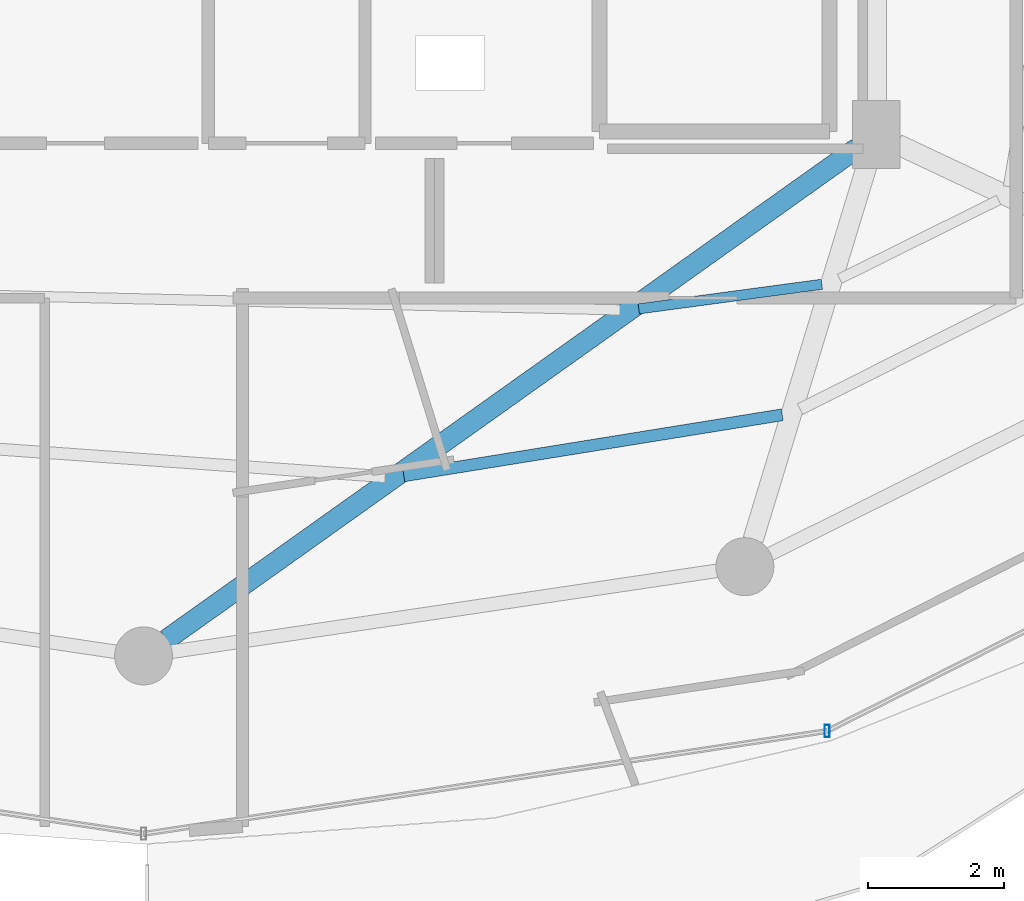
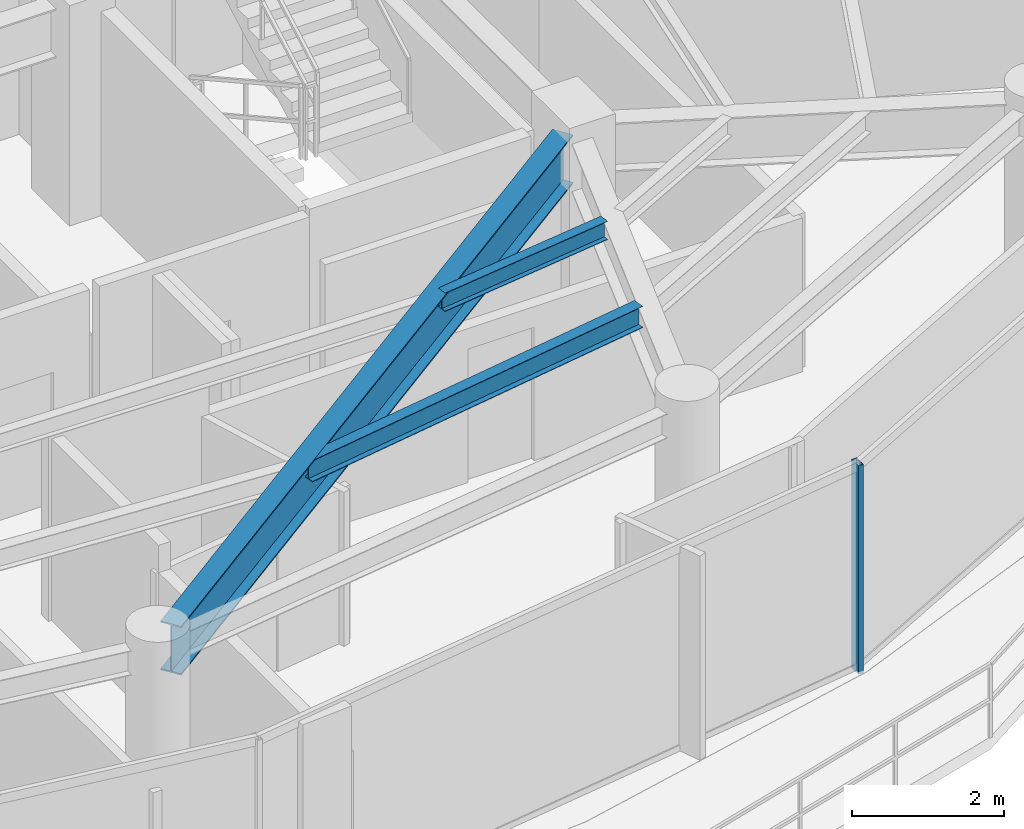
# One storey, part 10 of 30: 3 beams, 1 member, 1 element without a shape of its own.
"""IFC4 building model written with IfcOpenShell, lengths in metres."""

from ifc_helpers import new_model, si_unit, direction, frame, origin, origin_2d, place, context, subcontext, project, spatial, hollow_rectangle, i_section, extrude, material, material_profile, profile_set, type_object, element, aggregate, save


model = new_model("IFC4")

# Units and contexts
model_context = context("Model", 3, precision=1e-05, world=origin(), true_north=direction((0.0, 1.0)))
body_context = subcontext(model_context, "Body", "Model", "MODEL_VIEW")
ifc_project = project(units=[si_unit("LENGTHUNIT", "METRE"), si_unit("AREAUNIT", "SQUARE_METRE"), si_unit("VOLUMEUNIT", "CUBIC_METRE"), si_unit("PLANEANGLEUNIT", "RADIAN"), si_unit("MASSUNIT", "GRAM", prefix="KILO")], contexts=[model_context])

# Site, building, storey
site_placement = place(None, origin())
site = spatial("IfcSite", under=ifc_project, at=site_placement, CompositionType="ELEMENT")
building_placement = place(site_placement, origin())
building = spatial("IfcBuilding", under=site, at=building_placement, Name="Vorneva Point Tower", CompositionType="ELEMENT")
storey_placement = place(building_placement, frame((0.0, 0.0, 234.25)))
storey = spatial("IfcBuildingStorey", under=building, at=storey_placement, Name="L63", CompositionType="ELEMENT", Elevation=234.25)

# Beams
ifc_material_1 = material(Name="Steel S355", Category="steel")
ifc_material_profile_1 = material_profile(ifc_material_1, i_section(OverallWidth=0.300048828125, OverallDepth=0.7880859375, WebThickness=0.014404296875, FlangeThickness=0.02197265625, at=origin_2d()), Name="80Sh1")
ifc_profile_set_1 = profile_set([ifc_material_profile_1], Name="Steel S355")
beam_type_1 = type_object("IfcBeamType", Name="BM-GRD-80Sh1", PredefinedType="USERDEFINED", material=ifc_profile_set_1)
beam_1_placement = place(storey_placement, frame((38.33642578125, 9.03955078125, 2.89599609375), z_axis=(0.814757147543, 0.579802371958, 0.0), x_axis=(-0.579802371958, 0.814757147543, 0.0)))
element("IfcBeam", 1, at=beam_1_placement, inside=storey, type_object=beam_type_1, Name="L63 Radial Primary Girder 13", ObjectType="GIRDER", PredefinedType="USERDEFINED", context=body_context, shape_type="SweptSolid", body=[
    extrude(i_section(OverallWidth=0.300048828125, OverallDepth=0.7880859375, WebThickness=0.014404296875, FlangeThickness=0.02197265625, at=origin_2d()), origin(), (0.0, 0.0, 1.0), 12.441162109375),
])
ifc_material_profile_2 = material_profile(ifc_material_1, i_section(OverallWidth=0.14892578125, OverallDepth=0.298095703125, WebThickness=0.005615234375, FlangeThickness=0.008056640625, at=origin_2d()), Name="30B1")
ifc_profile_set_2 = profile_set([ifc_material_profile_2], Name="Steel S355")
beam_type_2 = type_object("IfcBeamType", Name="BM-JST-30B1", PredefinedType="JOIST", material=ifc_profile_set_2)
beam_2_placement = place(storey_placement, frame((45.2646484375, 13.890869140625, 3.14111328125), z_axis=(0.991092022882, 0.133178835332, 0.0), x_axis=(-0.133178835332, 0.991092022882, 0.0)))
element("IfcBeam", 2, at=beam_2_placement, inside=storey, type_object=beam_type_2, Name="L63 Secondary Floor Beam 2.13", PredefinedType="JOIST", context=body_context, shape_type="SweptSolid", body=[
    extrude(i_section(OverallWidth=0.14892578125, OverallDepth=0.298095703125, WebThickness=0.005615234375, FlangeThickness=0.008056640625, at=origin_2d()), origin(), (0.0, 0.0, 1.0), 2.70947265625),
])
ifc_material_profile_3 = material_profile(ifc_material_1, i_section(OverallWidth=0.174072265625, OverallDepth=0.345947265625, WebThickness=0.006103515625, FlangeThickness=0.009033203125, at=origin_2d()), Name="35B1")
ifc_profile_set_3 = profile_set([ifc_material_profile_3], Name="Steel S355")
beam_type_3 = type_object("IfcBeamType", Name="BM-SEC-35B1", PredefinedType="BEAM", material=ifc_profile_set_3)
beam_3_placement = place(storey_placement, frame((41.81787109375, 11.44189453125, 3.116943359375), z_axis=(0.98724398281, 0.159214692804, 0.0), x_axis=(-0.159214692804, 0.98724398281, 0.0)))
element("IfcBeam", 3, at=beam_3_placement, inside=storey, type_object=beam_type_3, Name="L63 Secondary Floor Beam 1.13", PredefinedType="BEAM", context=body_context, shape_type="SweptSolid", body=[
    extrude(i_section(OverallWidth=0.174072265625, OverallDepth=0.345947265625, WebThickness=0.006103515625, FlangeThickness=0.009033203125, at=origin_2d()), origin(), (0.0, 0.0, 1.0), 5.623046875),
])

# Curtain wall, member
ifc_material_2 = material(Name="Pale anodised aluminium", Category="aluminium")
curtain_wall_type = type_object("IfcCurtainWallType", Name="CW-RES-SYS", PredefinedType="NOTDEFINED", material=ifc_material_2)
curtain_wall_placement = place(storey_placement, origin())
curtain_wall = element("IfcCurtainWall", 4, at=curtain_wall_placement, inside=storey, type_object=curtain_wall_type, Name="L63 Unitised Curtain Wall CW-L63-R04", PredefinedType="NOTDEFINED")
ifc_material_profile_4 = material_profile(ifc_material_2, hollow_rectangle(XDim=0.074951171875, YDim=0.179931640625, WallThickness=0.00390625, at=origin_2d()), Name="AL-MUL 180x75x4")
ifc_profile_set_4 = profile_set([ifc_material_profile_4], Name="Pale anodised aluminium")
member_type = type_object("IfcMemberType", Name="CW-MUL-180", PredefinedType="MULLION", material=ifc_profile_set_4)
member_placement = place(storey_placement, frame((48.0263671875, 7.697998046875, -0.0400390625), z_axis=(0.0, 0.0, 1.0), x_axis=(1.0, 0.0, 0.0)))
member = element("IfcMember", 5, at=member_placement, type_object=member_type, Name="CW-L63-R04 Mullion 04", PredefinedType="MULLION", context=body_context, shape_type="SweptSolid", body=[
    extrude(hollow_rectangle(XDim=0.074951171875, YDim=0.179931640625, WallThickness=0.00390625, at=origin_2d()), origin(), (0.0, 0.0, 1.0), 3.360107421875),
])
aggregate(curtain_wall, [member])

save(model, "model.ifc")
